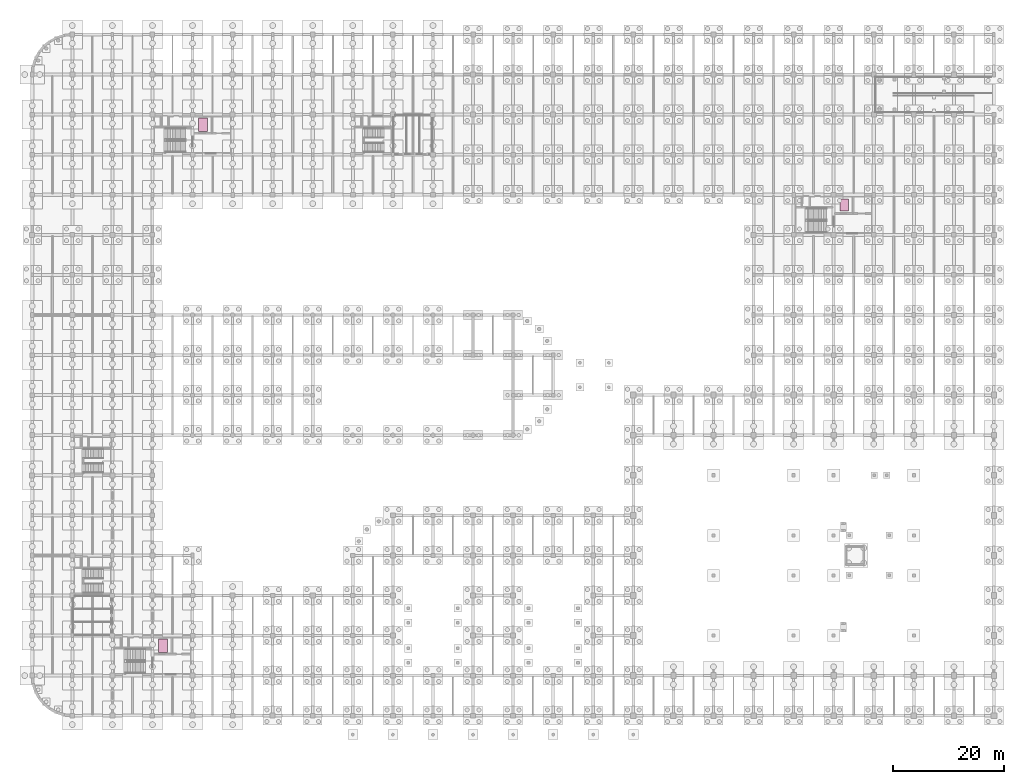
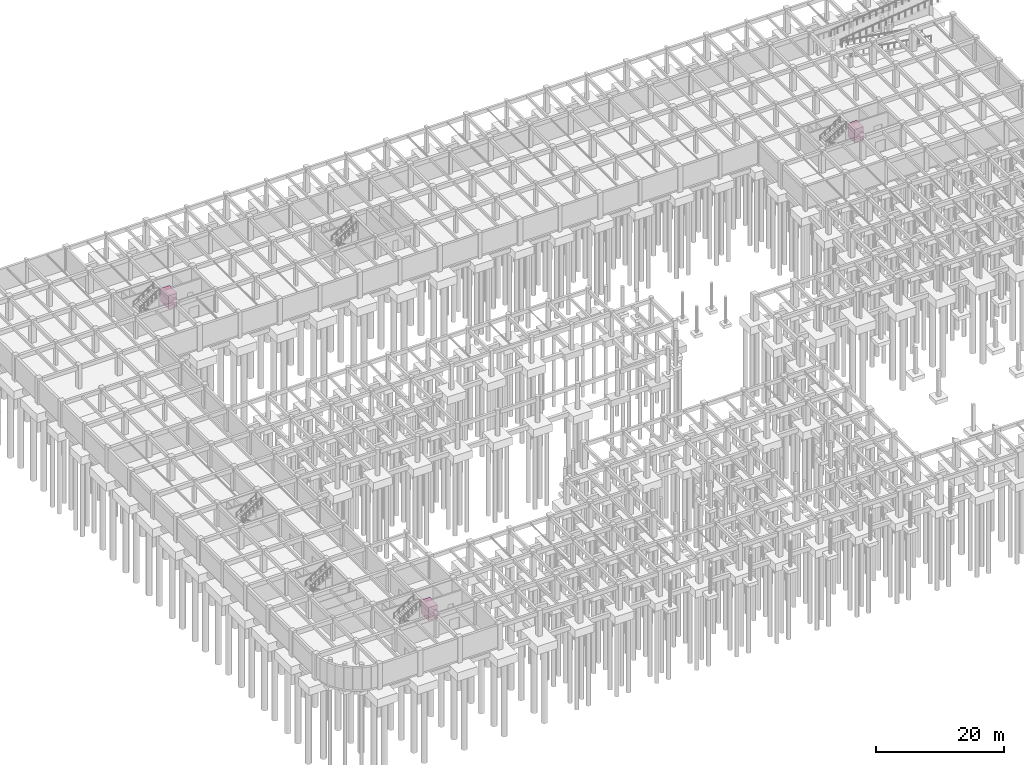
# One storey, part 47 of 47: 3 transport elements.
"""IFC4 building model written with IfcOpenShell, lengths in metres."""

from ifc_helpers import new_model, si_unit, direction, frame, origin, origin_2d, place, context, subcontext, project, spatial, rectangle, extrude, material, type_object, element, save


model = new_model("IFC4")

# Units and contexts
model_context = context("Model", 3, precision=1e-05, world=origin(), true_north=direction((0.0, 1.0)))
body_context = subcontext(model_context, "Body", "Model", "MODEL_VIEW")
ifc_project = project(units=[si_unit("LENGTHUNIT", "METRE"), si_unit("AREAUNIT", "SQUARE_METRE"), si_unit("VOLUMEUNIT", "CUBIC_METRE"), si_unit("PLANEANGLEUNIT", "RADIAN"), si_unit("MASSUNIT", "GRAM", prefix="KILO")], contexts=[model_context])

# Site, building, storey
site_placement = place(None, origin())
site = spatial("IfcSite", under=ifc_project, at=site_placement, CompositionType="ELEMENT")
building_placement = place(site_placement, origin())
building = spatial("IfcBuilding", under=site, at=building_placement, Name="Thalmaran Polytechnic", CompositionType="ELEMENT")
storey_placement = place(building_placement, frame((0.0, 0.0, -4.5)))
storey = spatial("IfcBuildingStorey", under=building, at=storey_placement, Name="B1", CompositionType="ELEMENT", Elevation=-4.5)

# Transport elements
ifc_material = material(Name="Brushed stainless steel lift cab", Category="steel")
transport_element_type_1 = type_object("IfcTransportElementType", Name="LF-FF01", PredefinedType="ELEVATOR", material=ifc_material)
for number, where, z_axis, x_axis, name in (
    (1, (23.5, 12.60009765625, 0.0), (0.0, 0.0, 1.0), (1.0, 0.0, 0.0), "Firefighting Lift FL-01"),
    (2, (30.699951171875, 106.199951171875, 0.0), (0.0, 0.0, 1.0), (1.0, 0.0, 0.0), "Firefighting Lift FL-02"),
):
    element("IfcTransportElement", number, at=place(storey_placement, frame(where, z_axis=z_axis, x_axis=x_axis)), inside=storey, type_object=transport_element_type_1, Name=name, PredefinedType="ELEVATOR", context=body_context, shape_type="SweptSolid", body=[
        extrude(rectangle(XDim=1.60009765625, YDim=2.39990234375, at=origin_2d()), origin(), (0.0, 0.0, 1.0), 2.5),
    ])
transport_element_type_2 = type_object("IfcTransportElementType", Name="LF-PA01", PredefinedType="ELEVATOR", material=ifc_material)
transport_element_placement = place(storey_placement, frame((145.89990234375, 91.75, 0.0), z_axis=(0.0, 0.0, 1.0), x_axis=(1.0, 0.0, 0.0)))
element("IfcTransportElement", 3, at=transport_element_placement, inside=storey, type_object=transport_element_type_2, Name="Passenger Lift PL-04", PredefinedType="ELEVATOR", context=body_context, shape_type="SweptSolid", body=[
    extrude(rectangle(XDim=1.60009765625, YDim=2.10009765625, at=origin_2d()), origin(), (0.0, 0.0, 1.0), 2.449951171875),
])

save(model, "model.ifc")
